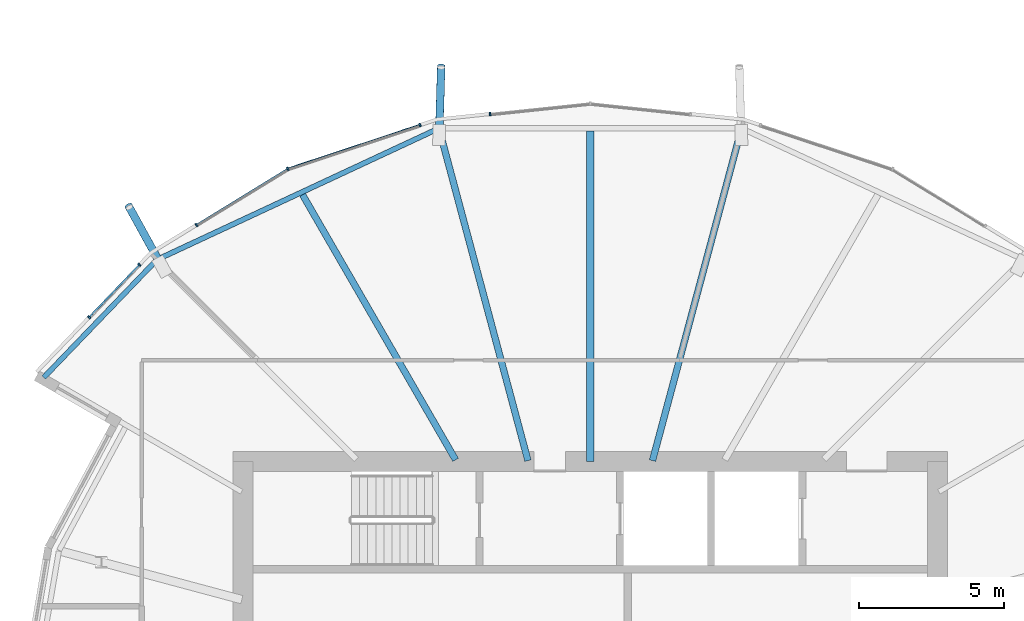
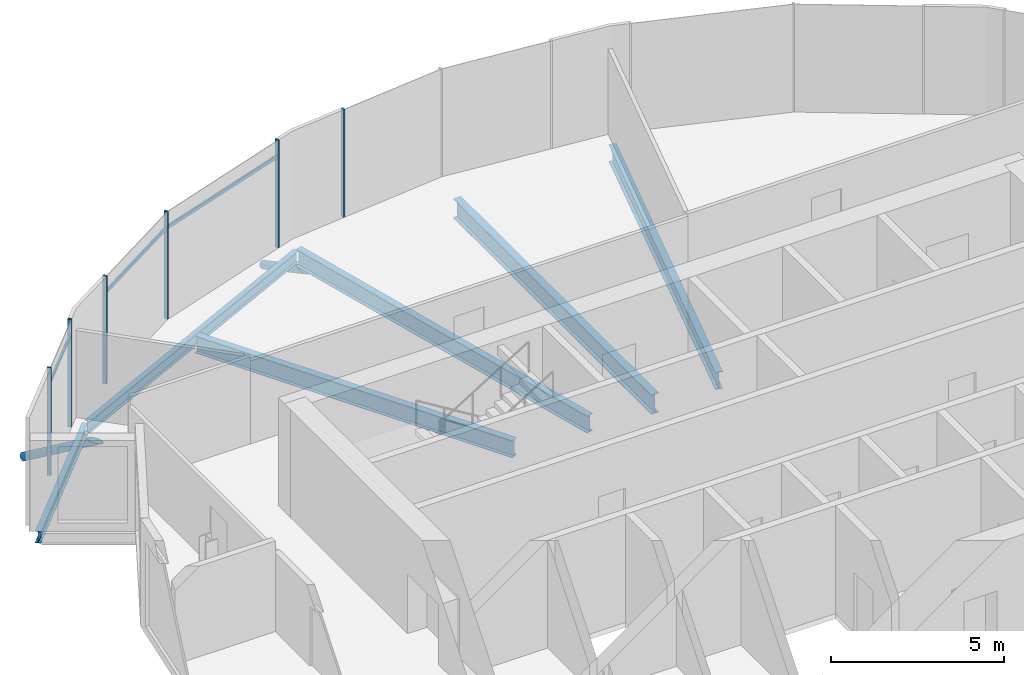
# One storey, part 9 of 40: 11 members, 6 beams, 1 element without a shape of its own.
"""IFC4 building model written with IfcOpenShell, lengths in metres."""

from ifc_helpers import new_model, si_unit, direction, frame, origin, origin_2d, place, context, subcontext, project, spatial, rectangle, hollow_circle, i_section, extrude, clip, halfspace, material, material_profile, profile_set, type_object, element, aggregate, save


model = new_model("IFC4")

# Units and contexts
model_context = context("Model", 3, precision=1e-05, world=origin(), true_north=direction((0.0, 1.0)))
body_context = subcontext(model_context, "Body", "Model", "MODEL_VIEW")
ifc_project = project(units=[si_unit("LENGTHUNIT", "METRE"), si_unit("AREAUNIT", "SQUARE_METRE"), si_unit("VOLUMEUNIT", "CUBIC_METRE"), si_unit("PLANEANGLEUNIT", "RADIAN"), si_unit("MASSUNIT", "GRAM", prefix="KILO")], contexts=[model_context])

# Site, building, storey
site_placement = place(None, origin())
site = spatial("IfcSite", under=ifc_project, at=site_placement, CompositionType="ELEMENT")
building_placement = place(site_placement, origin())
building = spatial("IfcBuilding", under=site, at=building_placement, Name="Rimbun Link Towers", CompositionType="ELEMENT")
storey_placement = place(building_placement, frame((0.0, 0.0, 150.60009765625)))
storey = spatial("IfcBuildingStorey", under=building, at=storey_placement, Name="L36", CompositionType="ELEMENT", Elevation=150.60009765625)

# Curtain wall, members
ifc_material_1 = material(Name="Aluminium 6063-T6 and low-iron glass", Category="aluminium")
curtain_wall_type = type_object("IfcCurtainWallType", Name="CW4 link block wall", PredefinedType="NOTDEFINED", material=ifc_material_1)
curtain_wall_placement = place(storey_placement, origin())
curtain_wall = element("IfcCurtainWall", 1, at=curtain_wall_placement, inside=storey, type_object=curtain_wall_type, Name="CW4 L36 T1", PredefinedType="NOTDEFINED")
ifc_material_2 = material(Name="Aluminium 6063-T6", Category="aluminium")
ifc_material_profile_1 = material_profile(ifc_material_2, rectangle(XDim=0.1201171875, YDim=0.06005859375, at=origin_2d()), Name="MULLION 60X120")
ifc_profile_set_1 = profile_set([ifc_material_profile_1], Name="Aluminium 6063-T6")
member_type_1 = type_object("IfcMemberType", Name="CW4 mullion 60X120", PredefinedType="MULLION", material=ifc_profile_set_1)
member_1_placement = place(storey_placement, frame((-35.21044921875, 20.011474609375, 0.0), z_axis=(0.0, 0.0, 1.0), x_axis=(-0.104745411125, 0.994499069305, 0.0)))
member_1 = element("IfcMember", 2, at=member_1_placement, type_object=member_type_1, Name="CW4 mullion", PredefinedType="MULLION", context=body_context, shape_type="SweptSolid", body=[
    extrude(rectangle(XDim=0.1201171875, YDim=0.06005859375, at=origin_2d()), origin(), (0.0, 0.0, 1.0), 3.7998046875),
])
member_2_placement = place(storey_placement, frame((-42.20068359375, 18.11181640625, 0.0), z_axis=(0.0, 0.0, 1.0), x_axis=(-0.421697332152, 0.906736654192, 0.0)))
member_2 = element("IfcMember", 3, at=member_2_placement, type_object=member_type_1, Name="CW4 mullion", PredefinedType="MULLION", context=body_context, shape_type="SweptSolid", body=[
    extrude(rectangle(XDim=0.1201171875, YDim=0.06005859375, at=origin_2d()), origin(), (0.0, 0.0, 1.0), 3.7998046875),
])
member_3_placement = place(storey_placement, frame((-37.632568359375, 19.626220703125, 0.0), z_axis=(0.0, 0.0, 1.0), x_axis=(-0.314567961741, 0.949234953763, 0.0)))
member_3 = element("IfcMember", 4, at=member_3_placement, type_object=member_type_1, Name="CW4 mullion", PredefinedType="MULLION", context=body_context, shape_type="SweptSolid", body=[
    extrude(rectangle(XDim=0.1201171875, YDim=0.06005859375, at=origin_2d()), origin(), (0.0, 0.0, 1.0), 3.7998046875),
])
member_4_placement = place(storey_placement, frame((-45.359130859375, 16.17333984375, 0.0), z_axis=(0.0, 0.0, 1.0), x_axis=(-0.523225378089, 0.852194346217, 0.0)))
member_4 = element("IfcMember", 5, at=member_4_placement, type_object=member_type_1, Name="CW4 mullion", PredefinedType="MULLION", context=body_context, shape_type="SweptSolid", body=[
    extrude(rectangle(XDim=0.1201171875, YDim=0.06005859375, at=origin_2d()), origin(), (0.0, 0.0, 1.0), 3.7998046875),
])
member_5_placement = place(storey_placement, frame((-49.066162109375, 12.98583984375, 0.0), z_axis=(0.0, 0.0, 1.0), x_axis=(-0.721858090698, 0.692041109252, 0.0)))
member_5 = element("IfcMember", 6, at=member_5_placement, type_object=member_type_1, Name="CW4 mullion", PredefinedType="MULLION", context=body_context, shape_type="SweptSolid", body=[
    extrude(rectangle(XDim=0.1201171875, YDim=0.06005859375, at=origin_2d()), origin(), (0.0, 0.0, 1.0), 3.7998046875),
])
member_6_placement = place(storey_placement, frame((-47.328125, 14.798583984375, 0.0), z_axis=(0.0, 0.0, 1.0), x_axis=(-0.721858090698, 0.692041109252, 0.0)))
member_6 = element("IfcMember", 7, at=member_6_placement, type_object=member_type_1, Name="CW4 mullion", PredefinedType="MULLION", context=body_context, shape_type="SweptSolid", body=[
    extrude(rectangle(XDim=0.1201171875, YDim=0.06005859375, at=origin_2d()), origin(), (0.0, 0.0, 1.0), 3.7998046875),
])
ifc_material_3 = material(Name="Aluminium 6063-T6", Category="aluminium")
ifc_material_profile_2 = material_profile(ifc_material_3, rectangle(XDim=0.06005859375, YDim=0.1201171875, at=origin_2d()), Name="TRANSOM 60X120")
ifc_profile_set_2 = profile_set([ifc_material_profile_2], Name="Aluminium 6063-T6")
member_type_2 = type_object("IfcMemberType", Name="CW4 transom 60X120", PredefinedType="USERDEFINED", material=ifc_profile_set_2)
member_7_placement = place(storey_placement, frame((-42.165283203125, 18.1220703125, 3.199951171875), z_axis=(0.949232304469, 0.314575956093, 0.0), x_axis=(-0.314575956093, 0.949232304469, 0.0)))
member_7 = element("IfcMember", 8, at=member_7_placement, type_object=member_type_2, Name="CW4 transom", ObjectType="TRANSOM", PredefinedType="USERDEFINED", context=body_context, shape_type="SweptSolid", body=[
    extrude(rectangle(XDim=0.06005859375, YDim=0.1201171875, at=origin_2d()), origin(), (0.0, 0.0, 1.0), 4.745849609375),
])
member_8_placement = place(storey_placement, frame((-45.33251953125, 16.187255859375, 3.199951171875), z_axis=(0.852185396319, 0.523239954802, 0.0), x_axis=(-0.523239954802, 0.852185396319, 0.0)))
member_8 = element("IfcMember", 9, at=member_8_placement, type_object=member_type_2, Name="CW4 transom", ObjectType="TRANSOM", PredefinedType="USERDEFINED", context=body_context, shape_type="SweptSolid", body=[
    extrude(rectangle(XDim=0.06005859375, YDim=0.1201171875, at=origin_2d()), origin(), (0.0, 0.0, 1.0), 3.638916015625),
])
member_9_placement = place(storey_placement, frame((-49.0439453125, 13.006103515625, 3.199951171875), z_axis=(0.692061088361, 0.721838936313, 0.0), x_axis=(-0.721838936313, 0.692061088361, 0.0)))
member_9 = element("IfcMember", 10, at=member_9_placement, type_object=member_type_2, Name="CW4 transom", ObjectType="TRANSOM", PredefinedType="USERDEFINED", context=body_context, shape_type="SweptSolid", body=[
    extrude(rectangle(XDim=0.06005859375, YDim=0.1201171875, at=origin_2d()), origin(), (0.0, 0.0, 1.0), 2.451416015625),
])
aggregate(curtain_wall, [member_1, member_2, member_3, member_4, member_5, member_6, member_7, member_8, member_9])

# Members
ifc_material_4 = material(Name="Steel S355J2H", Category="steel")
ifc_material_profile_3 = material_profile(ifc_material_4, hollow_circle(Radius=0.136474609375, WallThickness=0.012451171875, at=origin_2d()), Name="CHS 273x12.5")
ifc_profile_set_3 = profile_set([ifc_material_profile_3], Name="Steel S355J2H")
member_type_3 = type_object("IfcMemberType", Name="Floor edge link CHS 273x12.5", PredefinedType="BRACE", material=ifc_profile_set_3)
member_10_placement = place(storey_placement, frame((-36.9658203125, 19.465087890625, -0.90185546875), z_axis=(0.026885981574, 0.876075341842, -0.4814240744), x_axis=(-0.999529421322, 0.030674678673, 0.0)))
element("IfcMember", 11, at=member_10_placement, inside=storey, type_object=member_type_3, Name="Floor edge link T1 L36 07", PredefinedType="BRACE", context=body_context, shape_type="Clipping", body=[
    clip(extrude(hollow_circle(Radius=0.136474609375, WallThickness=0.012451171875, at=origin_2d()), frame((0.0, 0.0, -0.517822265625)), (0.0, 0.0, 1.0), 3.033203125), halfspace(frame((0.0, 0.0, -0.243408203125), z_axis=(0.0, 0.876487798311, -0.4814240744)), False)),
])
member_11_placement = place(storey_placement, frame((-46.62353515625, 14.87353515625, -0.830078125), z_axis=(-0.414660254947, 0.752795226791, -0.511230104246), x_axis=(-0.875909696387, -0.482475080989, 0.0)))
element("IfcMember", 12, at=member_11_placement, inside=storey, type_object=member_type_3, Name="Floor edge link T1 L36 09", PredefinedType="BRACE", context=body_context, shape_type="Clipping", body=[
    clip(extrude(hollow_circle(Radius=0.136474609375, WallThickness=0.012451171875, at=origin_2d()), frame((0.0, 0.0, -0.478515625)), (0.0, 0.0, 1.0), 3.0849609375), halfspace(frame((0.0, 0.0, -0.224609375), z_axis=(0.0, 0.859443878629, -0.511230104246)), False)),
])

# Beams
ifc_material_5 = material(Name="Steel S355J2", Category="steel")
ifc_material_profile_4 = material_profile(ifc_material_5, i_section(OverallWidth=0.177978515625, OverallDepth=0.406494140625, WebThickness=0.0078125, FlangeThickness=0.0126953125, at=origin_2d()), Name="UB 406x178x60")
ifc_profile_set_4 = profile_set([ifc_material_profile_4], Name="Steel S355J2")
beam_type_1 = type_object("IfcBeamType", Name="UB 406x178x60", PredefinedType="BEAM", material=ifc_profile_set_4)
beam_1_placement = place(storey_placement, frame((-37.084228515625, 19.46435546875, -0.38330078125), z_axis=(-0.906400585734, -0.422419197222, 0.0), x_axis=(0.422419197222, -0.906400585734, 0.0)))
element("IfcBeam", 13, at=beam_1_placement, inside=storey, type_object=beam_type_1, Name="Edge beam T1 L36 07-09", PredefinedType="BEAM", context=body_context, shape_type="SweptSolid", body=[
    extrude(i_section(OverallWidth=0.177978515625, OverallDepth=0.406494140625, WebThickness=0.0078125, FlangeThickness=0.0126953125, at=origin_2d()), origin(), (0.0, 0.0, 1.0), 10.521240234375),
])
beam_2_placement = place(storey_placement, frame((-46.72314453125, 14.9716796875, -0.38330078125), z_axis=(-0.692949602563, -0.720986025044, 0.0), x_axis=(0.720986025044, -0.692949602563, 0.0)))
element("IfcBeam", 14, at=beam_2_placement, inside=storey, type_object=beam_type_1, Name="Edge beam T1 L36 09", PredefinedType="BEAM", context=body_context, shape_type="SweptSolid", body=[
    extrude(i_section(OverallWidth=0.177978515625, OverallDepth=0.406494140625, WebThickness=0.0078125, FlangeThickness=0.0126953125, at=origin_2d()), origin(), (0.0, 0.0, 1.0), 5.642822265625),
])
ifc_material_6 = material(Name="Steel S355J2", Category="steel")
ifc_material_profile_5 = material_profile(ifc_material_6, i_section(OverallWidth=0.2275390625, OverallDepth=0.6025390625, WebThickness=0.010498046875, FlangeThickness=0.014892578125, at=origin_2d()), Name="UB 610x229x101")
ifc_profile_set_5 = profile_set([ifc_material_profile_5], Name="Steel S355J2")
beam_type_2 = type_object("IfcBeamType", Name="UB 610x229x101", PredefinedType="BEAM", material=ifc_profile_set_5)
for number, where, z_axis, x_axis, name in (
    (15, (-29.598388671875, 8.030517578125, -0.4814453125), (0.258824365794, 0.965924400598, 0.0), (-0.965924400598, 0.258824365794, 0.0), "Radial beam T1 L36 05"),
    (16, (-33.901611328125, 8.030517578125, -0.4814453125), (-0.258824365794, 0.965924400598, 0.0), (-0.965924400598, -0.258824365794, 0.0), "Radial beam T1 L36 07"),
):
    element("IfcBeam", number, at=place(storey_placement, frame(where, z_axis=z_axis, x_axis=x_axis)), inside=storey, type_object=beam_type_2, Name=name, PredefinedType="BEAM", context=body_context, shape_type="SweptSolid", body=[
        extrude(i_section(OverallWidth=0.2275390625, OverallDepth=0.6025390625, WebThickness=0.010498046875, FlangeThickness=0.014892578125, at=origin_2d()), origin(), (0.0, 0.0, 1.0), 11.887939453125),
    ])
beam_3_placement = place(storey_placement, frame((-36.402099609375, 8.057861328125, -0.4814453125), z_axis=(-0.500014158692, 0.866017229106, 0.0), x_axis=(-0.866017229106, -0.500014158692, 0.0)))
element("IfcBeam", 17, at=beam_3_placement, inside=storey, type_object=beam_type_2, Name="Radial beam T1 L36 08", PredefinedType="BEAM", context=body_context, shape_type="SweptSolid", body=[
    extrude(i_section(OverallWidth=0.2275390625, OverallDepth=0.6025390625, WebThickness=0.010498046875, FlangeThickness=0.014892578125, at=origin_2d()), origin(), (0.0, 0.0, 1.0), 10.577392578125),
])
ifc_material_7 = material(Name="Steel S355J2", Category="steel")
ifc_material_profile_6 = material_profile(ifc_material_7, i_section(OverallWidth=0.253662109375, OverallDepth=0.68359375, WebThickness=0.012451171875, FlangeThickness=0.01904296875, at=origin_2d()), Name="UB 686x254x140")
ifc_profile_set_6 = profile_set([ifc_material_profile_6], Name="Steel S355J2")
beam_type_3 = type_object("IfcBeamType", Name="UB 686x254x140", PredefinedType="BEAM", material=ifc_profile_set_6)
beam_4_placement = place(storey_placement, frame((-31.75, 8.0009765625, -0.52197265625), z_axis=(0.0, 1.0, 0.0), x_axis=(-1.0, 0.0, 0.0)))
element("IfcBeam", 18, at=beam_4_placement, inside=storey, type_object=beam_type_3, Name="Radial beam T1 L36 06", PredefinedType="BEAM", context=body_context, shape_type="SweptSolid", body=[
    extrude(i_section(OverallWidth=0.253662109375, OverallDepth=0.68359375, WebThickness=0.012451171875, FlangeThickness=0.01904296875, at=origin_2d()), origin(), (0.0, 0.0, 1.0), 11.422607421875),
])

save(model, "model.ifc")
